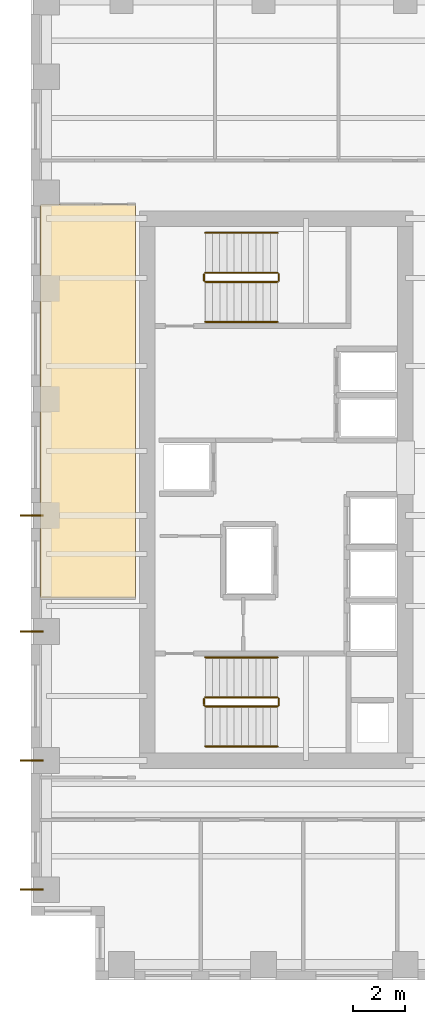
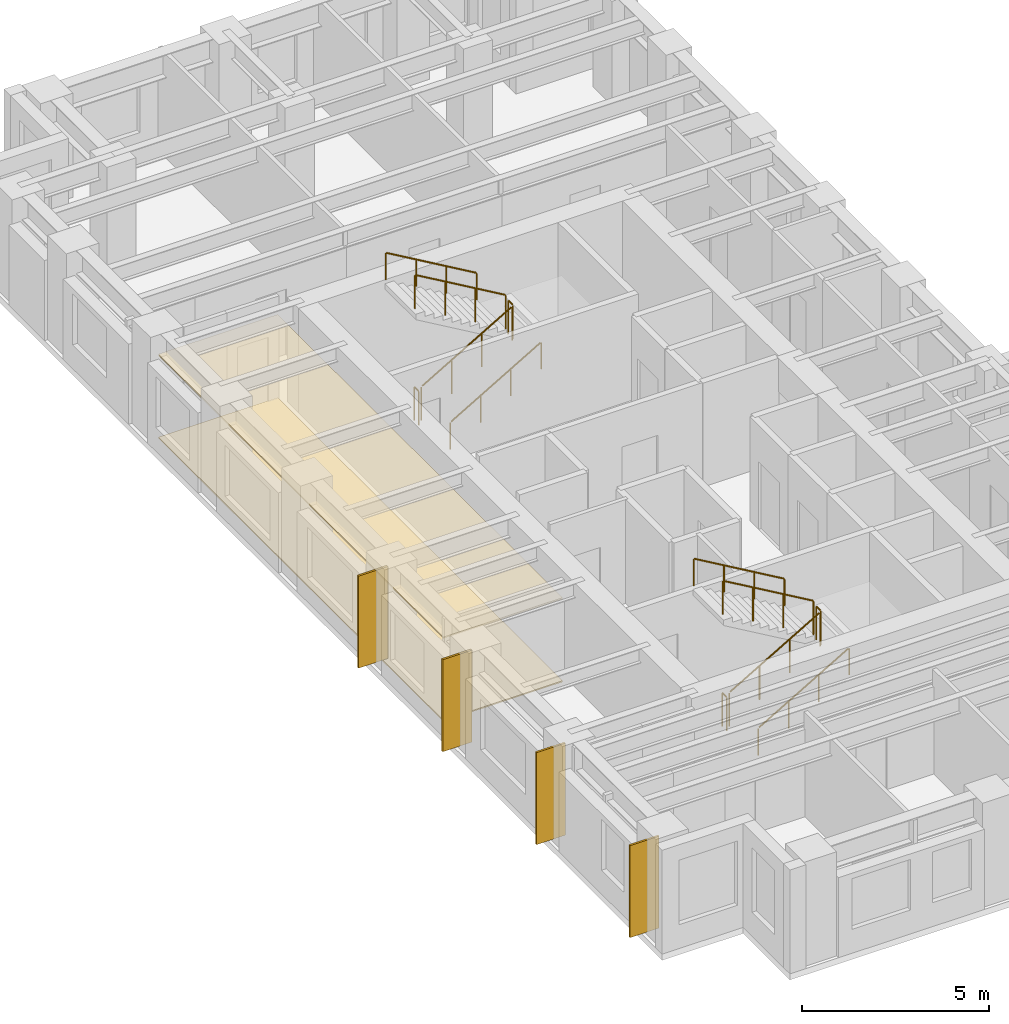
# One storey, part 10 of 11: 12 railings, 6 coverings.
"""IFC4 building model written with IfcOpenShell, lengths in metres."""

from ifc_helpers import new_model, si_unit, direction, frame, origin, origin_2d, place, context, subcontext, project, spatial, polyline, rectangle, circle, outline, extrude, source, transform, mapped, material, layer, layer_set, type_object, element, save


model = new_model("IFC4")

# Units and contexts
model_context = context("Model", 3, precision=1e-05, world=origin(), true_north=direction((0.0, 1.0)))
body_context = subcontext(model_context, "Body", "Model", "MODEL_VIEW")
ifc_project = project(units=[si_unit("LENGTHUNIT", "METRE"), si_unit("AREAUNIT", "SQUARE_METRE"), si_unit("VOLUMEUNIT", "CUBIC_METRE"), si_unit("PLANEANGLEUNIT", "RADIAN"), si_unit("MASSUNIT", "GRAM", prefix="KILO")], contexts=[model_context])

# Site, building, storey
site_placement = place(None, origin())
site = spatial("IfcSite", under=ifc_project, at=site_placement, CompositionType="ELEMENT")
building_placement = place(site_placement, origin())
building = spatial("IfcBuilding", under=site, at=building_placement, Name="Kharzan Plaza Tower", CompositionType="ELEMENT")
storey_placement = place(building_placement, frame((0.0, 0.0, 150.300048828125)))
storey = spatial("IfcBuildingStorey", under=building, at=storey_placement, Name="L40", CompositionType="ELEMENT", Elevation=150.300048828125)

# Coverings
ifc_material_1 = material(Name="Perforated Acoustic Mineral-Fibre Tile", Category="gypsum")
ifc_layer_1 = layer(ifc_material_1, 0.044921875)
ifc_layer_set_1 = layer_set([ifc_layer_1], Name="Perforated Acoustic Mineral-Fibre Tile")
covering_type_1 = type_object("IfcCoveringType", Name="COV-CEIL-ACT", PredefinedType="CEILING", material=ifc_layer_set_1)
covering_1_placement = place(storey_placement, frame((0.0, 0.0, 2.704833984375)))
element("IfcCovering", 1, at=covering_1_placement, inside=storey, type_object=covering_type_1, Name="L40 Suspended Acoustic Ceiling RW2", PredefinedType="CEILING", context=body_context, shape_type="SweptSolid", body=[
    extrude(outline(polyline([(0.360107421875, 14.81005859375), (4.0400390625, 14.81005859375), (4.0400390625, 30.0400390625), (0.360107421875, 30.0400390625), (0.360107421875, 14.81005859375)])), origin(), (0.0, 0.0, 1.0), 0.045166015625),
])
ifc_material_2 = material(Name="Honed Najran Granite Terrazzo", Category="masonry")
ifc_layer_2 = layer(ifc_material_2, 0.0400390625)
ifc_layer_set_2 = layer_set([ifc_layer_2], Name="Honed Najran Granite Terrazzo")
covering_type_2 = type_object("IfcCoveringType", Name="COV-FLOOR-STN", PredefinedType="FLOORING", material=ifc_layer_set_2)
covering_2_placement = place(storey_placement, origin())
element("IfcCovering", 2, at=covering_2_placement, inside=storey, type_object=covering_type_2, Name="L40 Honed Granite Terrazzo Flooring RW2", PredefinedType="FLOORING", context=body_context, shape_type="SweptSolid", body=[
    extrude(outline(polyline([(0.360107421875, 14.81005859375), (4.0400390625, 14.81005859375), (4.0400390625, 30.0400390625), (0.360107421875, 30.0400390625), (0.360107421875, 14.81005859375)])), origin(), (0.0, 0.0, 1.0), 0.0400390625),
])

# Railings
ifc_material_3 = material(Name="Painted Galvanized Architectural Steel", Category="steel")
ifc_layer_3 = layer(ifc_material_3, 0.074951171875)
ifc_layer_set_3 = layer_set([ifc_layer_3], Name="Painted Galvanized Architectural Steel")
railing_type_1 = type_object("IfcRailingType", Name="RL-GUARD-1120", PredefinedType="BALUSTRADE", material=ifc_layer_set_3)
shared_shape_1 = source(origin(), body_context, "Body", "SweptSolid", [
    extrude(circle(Radius=0.02392578125, at=origin_2d()), frame((0.0, 0.0263671875, 1.09619140625), z_axis=(0.0, 1.0, 0.0), x_axis=(-1.0, 0.0, 0.0)), (0.0, 0.0, 1.0), 0.197021484375),
    extrude(circle(Radius=0.02099609375, at=origin_2d()), origin(), (0.0, 0.0, 1.0), 1.072021484375),
    extrude(circle(Radius=0.02099609375, at=origin_2d()), frame((0.0, 0.25, 0.0)), (0.0, 0.0, 1.0), 1.072021484375),
])
for number, where, name in (
    (3, (9.60009765625, 10.64990234375, 1.800048828125), "L40 ST-1 stair guard 2"),
    (4, (6.699951171875, 10.64990234375, 0.0), "L40 ST-1 stair guard 4"),
    (5, (9.60009765625, 27.10009765625, 1.800048828125), "L40 ST-2 stair guard 2"),
    (6, (6.699951171875, 27.10009765625, 0.0), "L40 ST-2 stair guard 4"),
):
    element("IfcRailing", number, at=place(storey_placement, frame(where)), inside=storey, type_object=railing_type_1, Name=name, PredefinedType="BALUSTRADE", context=body_context, shape_type="MappedRepresentation", body=[
        mapped(shared_shape_1, transform((0.0, 0.0, 0.0), x_axis=(1.0, 0.0, 0.0), y_axis=(0.0, 1.0, 0.0), z_axis=(0.0, 0.0, 1.0))),
    ])

# Coverings
ifc_material_4 = material(Name="Honed Riyadh Limestone", Category="masonry")
ifc_layer_4 = layer(ifc_material_4, 0.06005859375)
ifc_layer_set_4 = layer_set([ifc_layer_4], Name="Honed Riyadh Limestone")
covering_type_3 = type_object("IfcCoveringType", Name="COV-CLAD-STONE", PredefinedType="CLADDING", material=ifc_layer_set_4)
shared_shape_2 = source(origin(), body_context, "Body", "SweptSolid", [
    extrude(rectangle(XDim=0.06005859375, YDim=0.89990234375, at=origin_2d()), origin(), (0.0, 0.0, 1.0), 3.0),
])
for number, where, z_axis, x_axis, name in (
    (7, (0.02001953125, 13.5, 0.099853515625), (0.0, 0.0, 1.0), (0.0, 1.0, 0.0), "L40 Limestone Pier Rainscreen Cladding TCW-135"),
    (8, (0.02001953125, 18.0, 0.099853515625), (0.0, 0.0, 1.0), (0.0, 1.0, 0.0), "L40 Limestone Pier Rainscreen Cladding TCW-180"),
    (9, (0.02001953125, 3.5, 0.099853515625), (0.0, 0.0, 1.0), (0.0, 1.0, 0.0), "L40 Limestone Pier Rainscreen Cladding TCW-35"),
    (10, (0.02001953125, 8.5, 0.099853515625), (0.0, 0.0, 1.0), (0.0, 1.0, 0.0), "L40 Limestone Pier Rainscreen Cladding TCW-85"),
):
    element("IfcCovering", number, at=place(storey_placement, frame(where, z_axis=z_axis, x_axis=x_axis)), inside=storey, type_object=covering_type_3, Name=name, PredefinedType="CLADDING", context=body_context, shape_type="MappedRepresentation", body=[
        mapped(shared_shape_2, transform((0.0, 0.0, 0.0), x_axis=(1.0, 0.0, 0.0), y_axis=(0.0, 1.0, 0.0), z_axis=(0.0, 0.0, 1.0))),
    ])

# Railings
shared_shape_3 = source(origin(), body_context, "Body", "SweptSolid", [
    extrude(circle(Radius=0.02392578125, at=origin_2d()), frame((0.02294921875, 0.0, 1.109375), z_axis=(0.863360870873, 0.0, 0.504586966384), x_axis=(0.0, 1.0, 0.0)), (0.0, 0.0, 1.0), 3.190185546875),
    extrude(circle(Radius=0.02099609375, at=origin_2d()), origin(), (0.0, 0.0, 1.0), 1.072021484375),
    extrude(circle(Radius=0.02099609375, at=origin_2d()), frame((0.933349609375, 0.0, 0.54541015625)), (0.0, 0.0, 1.0), 1.072021484375),
    extrude(circle(Radius=0.02099609375, at=origin_2d()), frame((1.86669921875, 0.0, 1.091064453125)), (0.0, 0.0, 1.0), 1.072021484375),
    extrude(circle(Radius=0.02099609375, at=origin_2d()), frame((2.800048828125, 0.0, 1.636474609375)), (0.0, 0.0, 1.0), 1.072021484375),
])
for number, where, name in (
    (11, (6.75, 10.60009765625, 0.16357421875), "L40 ST-1 stair guard 1"),
    (12, (6.75, 27.050048828125, 0.16357421875), "L40 ST-2 stair guard 1"),
):
    element("IfcRailing", number, at=place(storey_placement, frame(where)), inside=storey, type_object=railing_type_1, Name=name, PredefinedType="BALUSTRADE", context=body_context, shape_type="MappedRepresentation", body=[
        mapped(shared_shape_3, transform((0.0, 0.0, 0.0), x_axis=(1.0, 0.0, 0.0), y_axis=(0.0, 1.0, 0.0), z_axis=(0.0, 0.0, 1.0))),
    ])
ifc_material_5 = material(Name="Brushed Stainless Steel", Category="steel")
ifc_layer_5 = layer(ifc_material_5, 0.050048828125)
ifc_layer_set_5 = layer_set([ifc_layer_5], Name="Brushed Stainless Steel")
railing_type_2 = type_object("IfcRailingType", Name="RL-STAIR-HR920", PredefinedType="HANDRAIL", material=ifc_layer_set_5)
shared_shape_4 = source(origin(), body_context, "Body", "SweptSolid", [
    extrude(circle(Radius=0.02392578125, at=origin_2d()), frame((0.02294921875, 0.0, 0.88916015625), z_axis=(0.863360870873, 0.0, 0.504586966384), x_axis=(0.0, 1.0, 0.0)), (0.0, 0.0, 1.0), 3.190185546875),
    extrude(circle(Radius=0.02099609375, at=origin_2d()), origin(), (0.0, 0.0, 1.0), 0.851806640625),
    extrude(circle(Radius=0.02099609375, at=origin_2d()), frame((0.933349609375, 0.0, 0.54541015625)), (0.0, 0.0, 1.0), 0.851806640625),
    extrude(circle(Radius=0.02099609375, at=origin_2d()), frame((1.86669921875, 0.0, 1.091064453125)), (0.0, 0.0, 1.0), 0.851806640625),
    extrude(circle(Radius=0.02099609375, at=origin_2d()), frame((2.800048828125, 0.0, 1.636474609375)), (0.0, 0.0, 1.0), 0.851806640625),
])
for number, where, name in (
    (13, (6.75, 9.050048828125, 0.16357421875), "L40 ST-1 stair handrail 1"),
    (14, (6.75, 25.5, 0.16357421875), "L40 ST-2 stair handrail 1"),
):
    element("IfcRailing", number, at=place(storey_placement, frame(where)), inside=storey, type_object=railing_type_2, Name=name, PredefinedType="HANDRAIL", context=body_context, shape_type="MappedRepresentation", body=[
        mapped(shared_shape_4, transform((0.0, 0.0, 0.0), x_axis=(1.0, 0.0, 0.0), y_axis=(0.0, 1.0, 0.0), z_axis=(0.0, 0.0, 1.0))),
    ])
shared_shape_5 = source(origin(), body_context, "Body", "SweptSolid", [
    extrude(circle(Radius=0.02392578125, at=origin_2d()), frame((-0.02294921875, 0.0, 1.109375), z_axis=(-0.863393664356, 0.0, 0.504530851732), x_axis=(0.0, -1.0, 0.0)), (0.0, 0.0, 1.0), 3.190185546875),
    extrude(circle(Radius=0.02099609375, at=origin_2d()), origin(), (0.0, 0.0, 1.0), 1.072021484375),
    extrude(circle(Radius=0.02099609375, at=origin_2d()), frame((-0.933349609375, 0.0, 0.54541015625)), (0.0, 0.0, 1.0), 1.072021484375),
    extrude(circle(Radius=0.02099609375, at=origin_2d()), frame((-1.86669921875, 0.0, 1.0908203125)), (0.0, 0.0, 1.0), 1.072021484375),
    extrude(circle(Radius=0.02099609375, at=origin_2d()), frame((-2.800048828125, 0.0, 1.63623046875)), (0.0, 0.0, 1.0), 1.072021484375),
])
for number, where, name in (
    (15, (9.550048828125, 10.949951171875, 1.963623046875), "L40 ST-1 stair guard 3"),
    (16, (9.550048828125, 27.39990234375, 1.963623046875), "L40 ST-2 stair guard 3"),
):
    element("IfcRailing", number, at=place(storey_placement, frame(where)), inside=storey, type_object=railing_type_1, Name=name, PredefinedType="BALUSTRADE", context=body_context, shape_type="MappedRepresentation", body=[
        mapped(shared_shape_5, transform((0.0, 0.0, 0.0), x_axis=(1.0, 0.0, 0.0), y_axis=(0.0, 1.0, 0.0), z_axis=(0.0, 0.0, 1.0))),
    ])
shared_shape_6 = source(origin(), body_context, "Body", "SweptSolid", [
    extrude(circle(Radius=0.02392578125, at=origin_2d()), frame((-0.02294921875, 0.0, 0.88916015625), z_axis=(-0.863393664356, 0.0, 0.504530851732), x_axis=(0.0, -1.0, 0.0)), (0.0, 0.0, 1.0), 3.190185546875),
    extrude(circle(Radius=0.02099609375, at=origin_2d()), origin(), (0.0, 0.0, 1.0), 0.851806640625),
    extrude(circle(Radius=0.02099609375, at=origin_2d()), frame((-0.933349609375, 0.0, 0.54541015625)), (0.0, 0.0, 1.0), 0.851806640625),
    extrude(circle(Radius=0.02099609375, at=origin_2d()), frame((-1.86669921875, 0.0, 1.0908203125)), (0.0, 0.0, 1.0), 0.851806640625),
    extrude(circle(Radius=0.02099609375, at=origin_2d()), frame((-2.800048828125, 0.0, 1.63623046875)), (0.0, 0.0, 1.0), 0.851806640625),
])
for number, where, name in (
    (17, (9.550048828125, 12.5, 1.963623046875), "L40 ST-1 stair handrail 2"),
    (18, (9.550048828125, 28.949951171875, 1.963623046875), "L40 ST-2 stair handrail 2"),
):
    element("IfcRailing", number, at=place(storey_placement, frame(where)), inside=storey, type_object=railing_type_2, Name=name, PredefinedType="HANDRAIL", context=body_context, shape_type="MappedRepresentation", body=[
        mapped(shared_shape_6, transform((0.0, 0.0, 0.0), x_axis=(1.0, 0.0, 0.0), y_axis=(0.0, 1.0, 0.0), z_axis=(0.0, 0.0, 1.0))),
    ])

save(model, "model.ifc")
